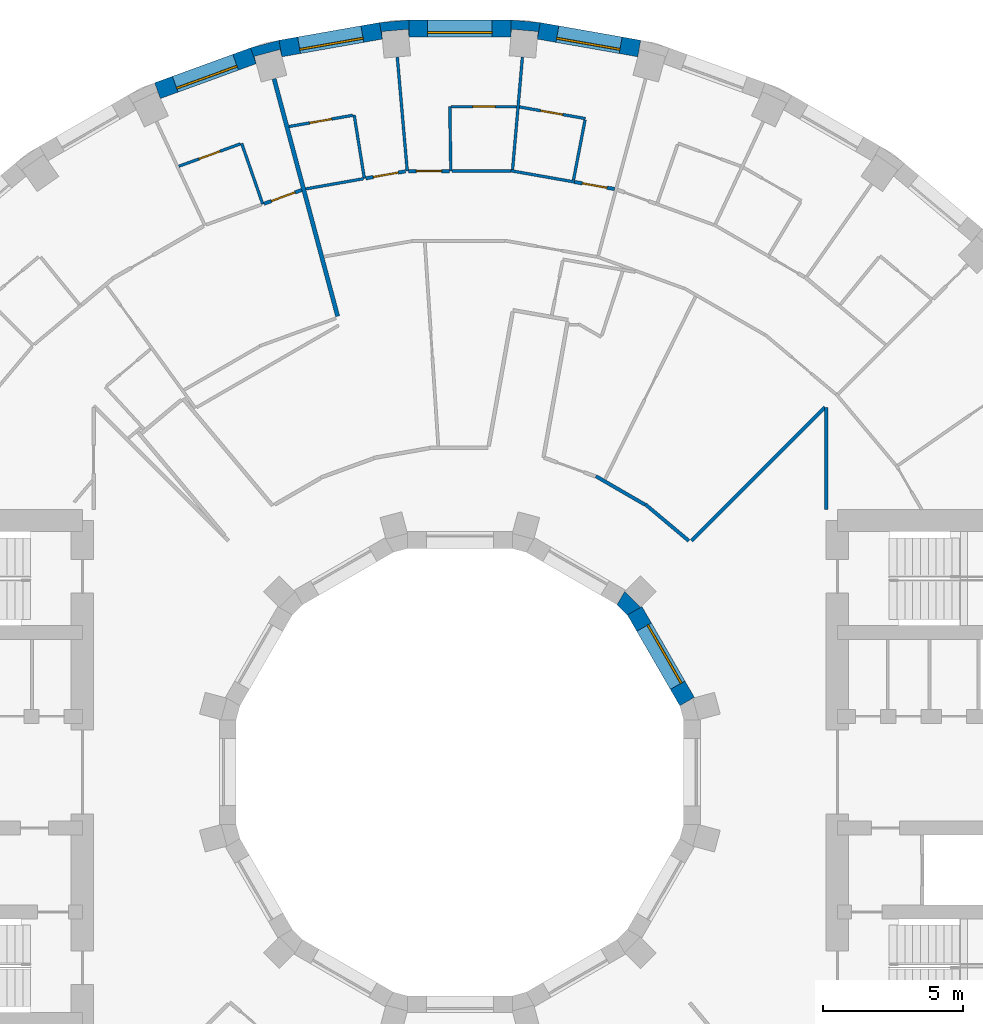
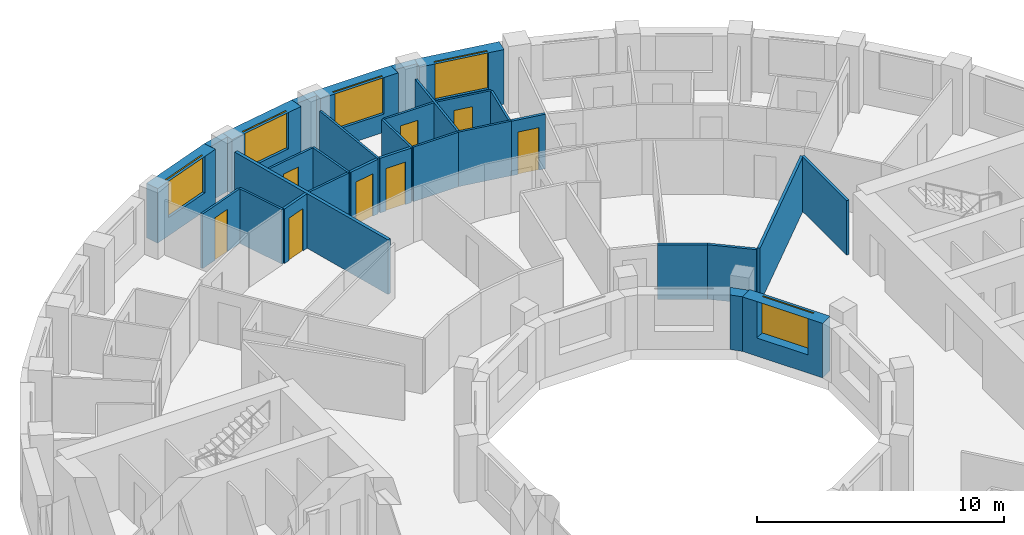
# One storey, part 13 of 16: 31 walls, 8 doors, 5 windows, 13 openings.
"""IFC4 building model written with IfcOpenShell, lengths in metres."""

from ifc_helpers import new_model, si_unit, direction, frame, frame_2d, origin, place, context, subcontext, project, spatial, polyline, rectangle, outline, extrude, material, layer, layer_set, type_object, element, fill, save


model = new_model("IFC4")

# Units and contexts
model_context = context("Model", 3, precision=1e-05, world=origin(), true_north=direction((0.0, 1.0)))
body_context = subcontext(model_context, "Body", "Model", "MODEL_VIEW")
ifc_project = project(units=[si_unit("LENGTHUNIT", "METRE"), si_unit("AREAUNIT", "SQUARE_METRE"), si_unit("VOLUMEUNIT", "CUBIC_METRE"), si_unit("PLANEANGLEUNIT", "RADIAN"), si_unit("MASSUNIT", "GRAM", prefix="KILO")], contexts=[model_context])

# Site, building, storey
site_placement = place(None, origin())
site = spatial("IfcSite", under=ifc_project, at=site_placement, CompositionType="ELEMENT")
building_placement = place(site_placement, origin())
building = spatial("IfcBuilding", under=site, at=building_placement, Name="Saqina Gate Tower", CompositionType="ELEMENT")
storey_placement = place(building_placement, frame((0.0, 0.0, 148.0)))
storey = spatial("IfcBuildingStorey", under=building, at=storey_placement, Name="L42", CompositionType="ELEMENT", Elevation=148.0)

# Walls
ifc_material_1 = material(Name="Brick masonry (buff)", Category="masonry")
wall_type_1 = type_object("IfcWallType", Name="BRICK PIER COPING BUFF", PredefinedType="SOLIDWALL", material=ifc_material_1)
wall_1_placement = place(storey_placement, origin())
element("IfcWall", 1, at=wall_1_placement, inside=storey, type_object=wall_type_1, Name="Pier cap L42 column 9", PredefinedType="SOLIDWALL", context=body_context, shape_type="SweptSolid", body=[
    extrude(outline(polyline([(2.87451171875, 26.805419921875), (1.823974609375, 26.897216796875), (1.823974609375, 26.29736328125), (1.847412109375, 26.565185546875), (2.793701171875, 26.482421875), (2.770263671875, 26.214599609375), (2.87451171875, 26.805419921875)])), origin(), (0.0, 0.0, 1.0), 2.699951171875),
])
wall_2_placement = place(storey_placement, origin())
element("IfcWall", 2, at=wall_2_placement, inside=storey, type_object=wall_type_1, Name="Pier cap L42 column 10", PredefinedType="SOLIDWALL", context=body_context, shape_type="SweptSolid", body=[
    extrude(outline(polyline([(-2.87451171875, 26.805419921875), (-2.770263671875, 26.214599609375), (-2.793701171875, 26.482421875), (-1.847412109375, 26.565185546875), (-1.823974609375, 26.29736328125), (-1.823974609375, 26.897216796875), (-2.87451171875, 26.805419921875)])), origin(), (0.0, 0.0, 1.0), 2.699951171875),
])
wall_3_placement = place(storey_placement, origin())
element("IfcWall", 3, at=wall_3_placement, inside=storey, type_object=wall_type_1, Name="Pier cap L42 column 11", PredefinedType="SOLIDWALL", context=body_context, shape_type="SweptSolid", body=[
    extrude(outline(polyline([(-6.466796875, 26.171875), (-7.485595703125, 25.89892578125), (-7.2802734375, 25.335205078125), (-7.349853515625, 25.5947265625), (-6.43212890625, 25.8408203125), (-6.36279296875, 25.5810546875), (-6.466796875, 26.171875)])), origin(), (0.0, 0.0, 1.0), 2.699951171875),
])

# Wall, opening, window
ifc_material_2 = material(Name="Brick masonry (buff)", Category="masonry")
ifc_layer_1 = layer(ifc_material_2, 0.60009765625)
ifc_layer_set_1 = layer_set([ifc_layer_1], Name="FW-BRICK-BUFF")
wall_type_2 = type_object("IfcWallType", Name="FW-BRICK-BUFF", PredefinedType="SOLIDWALL", material=ifc_layer_set_1)
wall_4_placement = place(storey_placement, frame((6.414794921875, 25.87646484375, 0.0), z_axis=(0.0, 0.0, 1.0), x_axis=(-0.984803764455, 0.173670796382, 0.0)))
wall_4 = element("IfcWall", 4, at=wall_4_placement, inside=storey, type_object=wall_type_2, Name="Facade wall L42 facet 8", PredefinedType="SOLIDWALL", context=body_context, shape_type="SweptSolid", body=[
    extrude(rectangle(XDim=3.64794921875, YDim=0.60009765625, at=frame_2d((1.823974609375, 0.0))), origin(), (0.0, 0.0, 1.0), 2.699951171875),
])
opening_1_placement = place(wall_4_placement, frame((0.673828125, 0.0, 0.89990234375)))
opening_1 = element("IfcOpeningElement", 5, at=opening_1_placement, cuts=wall_4, Name="Opening G12-W06", PredefinedType="OPENING", context=body_context, shape_type="SweptSolid", body=[
    extrude(rectangle(XDim=2.300048828125, YDim=1.800048828125, at=frame_2d((1.14990234375, 0.89990234375))), frame((0.0, 0.31201171875, 0.0), z_axis=(0.0, -1.0, 0.0), x_axis=(1.0, 0.0, 0.0)), (0.0, 0.0, 1.0), 0.6240234375),
])
ifc_material_3 = material(Name="Aluminium glazing", Category="aluminium")
window_type_1 = type_object("IfcWindowType", Name="WN-B", PartitioningType="SINGLE_PANEL", PredefinedType="WINDOW", material=ifc_material_3)
window_1_placement = place(opening_1_placement, origin())
window_1 = element("IfcWindow", 6, at=window_1_placement, inside=storey, type_object=window_type_1, Name="Window L42 facet 8", OverallHeight=1.800048828125, OverallWidth=2.300048828125, PartitioningType="SINGLE_PANEL", PredefinedType="WINDOW", context=body_context, shape_type="SweptSolid", body=[
    extrude(rectangle(XDim=2.300048828125, YDim=1.800048828125, at=frame_2d((1.14990234375, 0.89990234375))), frame((0.0, 0.179931640625, 0.0), z_axis=(0.0, -1.0, 0.0), x_axis=(1.0, 0.0, 0.0)), (0.0, 0.0, 1.0), 0.06005859375),
])
fill(opening_1, window_1)

wall_5_placement = place(storey_placement, frame((1.823974609375, 26.59716796875, 0.0), z_axis=(0.0, 0.0, 1.0), x_axis=(-1.0, 0.0, 0.0)))
wall_5 = element("IfcWall", 7, at=wall_5_placement, inside=storey, type_object=wall_type_2, Name="Facade wall L42 facet 9", PredefinedType="SOLIDWALL", context=body_context, shape_type="SweptSolid", body=[
    extrude(rectangle(XDim=3.64794921875, YDim=0.60009765625, at=frame_2d((1.823974609375, 0.0))), origin(), (0.0, 0.0, 1.0), 2.699951171875),
])
opening_2_placement = place(wall_5_placement, frame((0.673828125, 0.0, 0.89990234375)))
opening_2 = element("IfcOpeningElement", 8, at=opening_2_placement, cuts=wall_5, Name="Opening G12-W07", PredefinedType="OPENING", context=body_context, shape_type="SweptSolid", body=[
    extrude(rectangle(XDim=2.300048828125, YDim=1.800048828125, at=frame_2d((1.14990234375, 0.89990234375))), frame((0.0, 0.31201171875, 0.0), z_axis=(0.0, -1.0, 0.0), x_axis=(1.0, 0.0, 0.0)), (0.0, 0.0, 1.0), 0.6240234375),
])
window_2_placement = place(opening_2_placement, origin())
window_2 = element("IfcWindow", 9, at=window_2_placement, inside=storey, type_object=window_type_1, Name="Window L42 facet 9", OverallHeight=1.800048828125, OverallWidth=2.300048828125, PartitioningType="SINGLE_PANEL", PredefinedType="WINDOW", context=body_context, shape_type="SweptSolid", body=[
    extrude(rectangle(XDim=2.300048828125, YDim=1.800048828125, at=frame_2d((1.14990234375, 0.89990234375))), frame((0.0, 0.179931640625, 0.0), z_axis=(0.0, -1.0, 0.0), x_axis=(1.0, 0.0, 0.0)), (0.0, 0.0, 1.0), 0.06005859375),
])
fill(opening_2, window_2)

wall_6_placement = place(storey_placement, frame((-2.822265625, 26.510009765625, 0.0), z_axis=(0.0, 0.0, 1.0), x_axis=(-0.984803764455, -0.173670796382, 0.0)))
wall_6 = element("IfcWall", 10, at=wall_6_placement, inside=storey, type_object=wall_type_2, Name="Facade wall L42 facet 10", PredefinedType="SOLIDWALL", context=body_context, shape_type="SweptSolid", body=[
    extrude(rectangle(XDim=3.64794921875, YDim=0.60009765625, at=frame_2d((1.823974609375, 0.0))), origin(), (0.0, 0.0, 1.0), 2.699951171875),
])
opening_3_placement = place(wall_6_placement, frame((0.673828125, 0.0, 0.89990234375)))
opening_3 = element("IfcOpeningElement", 11, at=opening_3_placement, cuts=wall_6, Name="Opening G12-W08", PredefinedType="OPENING", context=body_context, shape_type="SweptSolid", body=[
    extrude(rectangle(XDim=2.300048828125, YDim=1.800048828125, at=frame_2d((1.14990234375, 0.89990234375))), frame((0.0, 0.31201171875, 0.0), z_axis=(0.0, -1.0, 0.0), x_axis=(1.0, 0.0, 0.0)), (0.0, 0.0, 1.0), 0.6240234375),
])
window_3_placement = place(opening_3_placement, origin())
window_3 = element("IfcWindow", 12, at=window_3_placement, inside=storey, type_object=window_type_1, Name="Window L42 facet 10", OverallHeight=1.800048828125, OverallWidth=2.300048828125, PartitioningType="SINGLE_PANEL", PredefinedType="WINDOW", context=body_context, shape_type="SweptSolid", body=[
    extrude(rectangle(XDim=2.300048828125, YDim=1.800048828125, at=frame_2d((1.14990234375, 0.89990234375))), frame((0.0, 0.179931640625, 0.0), z_axis=(0.0, -1.0, 0.0), x_axis=(1.0, 0.0, 0.0)), (0.0, 0.0, 1.0), 0.06005859375),
])
fill(opening_3, window_3)

wall_7_placement = place(storey_placement, frame((-7.3828125, 25.616943359375, 0.0), z_axis=(0.0, 0.0, 1.0), x_axis=(-0.939703505393, -0.341990236633, 0.0)))
wall_7 = element("IfcWall", 13, at=wall_7_placement, inside=storey, type_object=wall_type_2, Name="Facade wall L42 facet 11", PredefinedType="SOLIDWALL", context=body_context, shape_type="SweptSolid", body=[
    extrude(rectangle(XDim=3.64794921875, YDim=0.60009765625, at=frame_2d((1.823974609375, 0.0))), origin(), (0.0, 0.0, 1.0), 2.699951171875),
])
opening_4_placement = place(wall_7_placement, frame((0.673828125, 0.0, 0.89990234375)))
opening_4 = element("IfcOpeningElement", 14, at=opening_4_placement, cuts=wall_7, Name="Opening G12-W09", PredefinedType="OPENING", context=body_context, shape_type="SweptSolid", body=[
    extrude(rectangle(XDim=2.300048828125, YDim=1.800048828125, at=frame_2d((1.14990234375, 0.89990234375))), frame((0.0, 0.31201171875, 0.0), z_axis=(0.0, -1.0, 0.0), x_axis=(1.0, 0.0, 0.0)), (0.0, 0.0, 1.0), 0.6240234375),
])
window_4_placement = place(opening_4_placement, origin())
window_4 = element("IfcWindow", 15, at=window_4_placement, inside=storey, type_object=window_type_1, Name="Window L42 facet 11", OverallHeight=1.800048828125, OverallWidth=2.300048828125, PartitioningType="SINGLE_PANEL", PredefinedType="WINDOW", context=body_context, shape_type="SweptSolid", body=[
    extrude(rectangle(XDim=2.300048828125, YDim=1.800048828125, at=frame_2d((1.14990234375, 0.89990234375))), frame((0.0, 0.179931640625, 0.0), z_axis=(0.0, -1.0, 0.0), x_axis=(1.0, 0.0, 0.0)), (0.0, 0.0, 1.0), 0.06005859375),
])
fill(opening_4, window_4)

ifc_material_4 = material(Name="Glazed ceramic tile", Category="ceramic")
ifc_layer_2 = layer(ifc_material_4, 0.60009765625)
ifc_layer_set_2 = layer_set([ifc_layer_2], Name="IW-TILE")
wall_type_3 = type_object("IfcWallType", Name="IW-TILE", PredefinedType="SOLIDWALL", material=ifc_layer_set_2)
wall_8_placement = place(storey_placement, frame((8.124755859375, 2.52734375, 0.0), z_axis=(0.0, 0.0, 1.0), x_axis=(-0.499964958637, 0.86604563398, 0.0)))
wall_8 = element("IfcWall", 16, at=wall_8_placement, inside=storey, type_object=wall_type_3, Name="Well wall L42 facet 1", PredefinedType="SOLIDWALL", context=body_context, shape_type="SweptSolid", body=[
    extrude(rectangle(XDim=3.747314453125, YDim=0.60009765625, at=frame_2d((1.87353515625, 0.0))), origin(), (0.0, 0.0, 1.0), 2.699951171875),
])
opening_5_placement = place(wall_8_placement, frame((0.673583984375, 0.0, 0.89990234375)))
opening_5 = element("IfcOpeningElement", 17, at=opening_5_placement, cuts=wall_8, Name="Opening G12-W23", PredefinedType="OPENING", context=body_context, shape_type="SweptSolid", body=[
    extrude(rectangle(XDim=2.39990234375, YDim=1.800048828125, at=frame_2d((1.199951171875, 0.89990234375))), frame((0.0, 0.31201171875, 0.0), z_axis=(0.0, -1.0, 0.0), x_axis=(1.0, 0.0, 0.0)), (0.0, 0.0, 1.0), 0.6240234375),
])
ifc_material_5 = material(Name="Aluminium glazing", Category="aluminium")
window_type_2 = type_object("IfcWindowType", Name="WN-W", PartitioningType="SINGLE_PANEL", PredefinedType="WINDOW", material=ifc_material_5)
window_5_placement = place(opening_5_placement, origin())
window_5 = element("IfcWindow", 18, at=window_5_placement, inside=storey, type_object=window_type_2, Name="Well window L42 facet 1", OverallHeight=1.800048828125, OverallWidth=2.39990234375, PartitioningType="SINGLE_PANEL", PredefinedType="WINDOW", context=body_context, shape_type="SweptSolid", body=[
    extrude(rectangle(XDim=2.39990234375, YDim=1.800048828125, at=frame_2d((1.199951171875, 0.89990234375))), frame((0.0, -0.119873046875, 0.0), z_axis=(0.0, -1.0, 0.0), x_axis=(1.0, 0.0, 0.0)), (0.0, 0.0, 1.0), 0.06005859375),
])
fill(opening_5, window_5)

# Walls
ifc_material_6 = material(Name="Gypsum board on steel studs, 100 mm", Category="steel")
ifc_layer_3 = layer(ifc_material_6, 0.10009765625)
ifc_layer_set_3 = layer_set([ifc_layer_3], Name="PARTITION 100")
wall_type_4 = type_object("IfcWallType", Name="PARTITION 100", PredefinedType="PARTITIONING", material=ifc_layer_set_3)
wall_9_placement = place(storey_placement, frame((-0.35888671875, 23.797119140625, 0.0), z_axis=(0.0, 0.0, 1.0), x_axis=(0.015177107463, -0.999884821071, 0.0)))
element("IfcWall", 19, at=wall_9_placement, inside=storey, type_object=wall_type_4, Name="PARTITION PW3-01", PredefinedType="PARTITIONING", context=body_context, shape_type="SweptSolid", body=[
    extrude(rectangle(XDim=2.30029296875, YDim=0.10009765625, at=frame_2d((1.150146484375, 0.0))), origin(), (0.0, 0.0, 1.0), 2.699951171875),
])
wall_10_placement = place(storey_placement, frame((-2.237060546875, 25.5673828125, 0.0), z_axis=(0.0, 0.0, 1.0), x_axis=(0.087119511186, -0.996197867279, 0.0)))
element("IfcWall", 20, at=wall_10_placement, inside=storey, type_object=wall_type_4, Name="PARTITION PW3-03", PredefinedType="PARTITIONING", context=body_context, shape_type="SweptSolid", body=[
    extrude(rectangle(XDim=4.0859375, YDim=0.10009765625, at=frame_2d((2.04296875, 0.0))), origin(), (0.0, 0.0, 1.0), 2.699951171875),
])
for number, where, z_axis, x_axis, name in (
    (21, (-3.779052734375, 23.498046875, 0.0), (0.0, 0.0, 1.0), (0.15868179071, -0.987329777378, 0.0), "PARTITION PW3-04"),
    (22, (-7.802001953125, 22.485107421875, 0.0), (0.0, 0.0, 1.0), (0.327763034971, -0.944759965762, 0.0), "PARTITION PW3-05"),
):
    element("IfcWall", number, at=place(storey_placement, frame(where, z_axis=z_axis, x_axis=x_axis)), inside=storey, type_object=wall_type_4, Name=name, PredefinedType="PARTITIONING", context=body_context, shape_type="SweptSolid", body=[
        extrude(rectangle(XDim=2.300048828125, YDim=0.10009765625, at=frame_2d((1.14990234375, 0.0))), origin(), (0.0, 0.0, 1.0), 2.699951171875),
    ])
wall_11_placement = place(storey_placement, frame((1.8310546875, 21.505859375, 0.0), z_axis=(0.0, 0.0, 1.0), x_axis=(0.984783558818, -0.173785333909, 0.0)))
element("IfcWall", 23, at=wall_11_placement, inside=storey, type_object=wall_type_4, Name="PARTITION PW3-58", PredefinedType="PARTITIONING", context=body_context, shape_type="SweptSolid", body=[
    extrude(rectangle(XDim=2.305419921875, YDim=0.10009765625, at=frame_2d((1.15283203125, 0.0))), origin(), (0.0, 0.0, 1.0), 2.699951171875),
])

# Wall, opening, door
wall_12_placement = place(storey_placement, frame((2.13134765625, 23.788330078125, 0.0), z_axis=(0.0, 0.0, 1.0), x_axis=(0.984802055472, -0.173680486922, 0.0)))
wall_12 = element("IfcWall", 24, at=wall_12_placement, inside=storey, type_object=wall_type_4, Name="PARTITION PW3-59", PredefinedType="PARTITIONING", context=body_context, shape_type="SweptSolid", body=[
    extrude(rectangle(XDim=2.39111328125, YDim=0.10009765625, at=frame_2d((1.195556640625, 0.0))), origin(), (0.0, 0.0, 1.0), 2.699951171875),
])
opening_6_placement = place(wall_12_placement, frame((0.7705078125, 0.0, 0.0)))
opening_6 = element("IfcOpeningElement", 25, at=opening_6_placement, cuts=wall_12, Name="Opening G12-D15", PredefinedType="OPENING", context=body_context, shape_type="SweptSolid", body=[
    extrude(rectangle(XDim=0.800048828125, YDim=2.10009765625, at=frame_2d((0.39990234375, 1.050048828125))), frame((0.0, 0.06201171875, 0.0), z_axis=(0.0, -1.0, 0.0), x_axis=(1.0, 0.0, 0.0)), (0.0, 0.0, 1.0), 0.1240234375),
])
ifc_material_7 = material(Name="Timber door leaf, 800 mm", Category="wood")
door_type_1 = type_object("IfcDoorType", Name="DOOR 800 TIMBER", OperationType="SINGLE_SWING_LEFT", PredefinedType="DOOR", material=ifc_material_7)
door_1_placement = place(opening_6_placement, origin())
door_1 = element("IfcDoor", 26, at=door_1_placement, inside=storey, type_object=door_type_1, Name="DOOR G12-D15", OperationType="SINGLE_SWING_LEFT", OverallHeight=2.10009765625, OverallWidth=0.800048828125, PredefinedType="DOOR", context=body_context, shape_type="SweptSolid", body=[
    extrude(rectangle(XDim=0.800048828125, YDim=2.10009765625, at=frame_2d((0.39990234375, 1.050048828125))), frame((0.0, 0.02490234375, 0.0), z_axis=(0.0, -1.0, 0.0), x_axis=(1.0, 0.0, 0.0)), (0.0, 0.0, 1.0), 0.050048828125),
])
fill(opening_6, door_1)

# Wall
wall_13_placement = place(storey_placement, frame((-0.27392578125, 21.4970703125, 0.0), z_axis=(0.0, 0.0, 1.0), x_axis=(1.0, 0.0, 0.0)))
element("IfcWall", 27, at=wall_13_placement, inside=storey, type_object=wall_type_4, Name="PARTITION PW3-62", PredefinedType="PARTITIONING", context=body_context, shape_type="SweptSolid", body=[
    extrude(rectangle(XDim=2.10498046875, YDim=0.10009765625, at=frame_2d((1.052490234375, 0.0))), origin(), (0.0, 0.0, 1.0), 2.699951171875),
])

# Wall, opening, door
wall_14_placement = place(storey_placement, frame((-0.30908203125, 23.797119140625, 0.0), z_axis=(0.0, 0.0, 1.0), x_axis=(1.0, 0.0, 0.0)))
wall_14 = element("IfcWall", 28, at=wall_14_placement, inside=storey, type_object=wall_type_4, Name="PARTITION PW3-63", PredefinedType="PARTITIONING", context=body_context, shape_type="SweptSolid", body=[
    extrude(rectangle(XDim=2.341064453125, YDim=0.10009765625, at=frame_2d((1.17041015625, 0.0))), origin(), (0.0, 0.0, 1.0), 2.699951171875),
])
opening_7_placement = place(wall_14_placement, frame((0.7705078125, 0.0, 0.0)))
opening_7 = element("IfcOpeningElement", 29, at=opening_7_placement, cuts=wall_14, Name="Opening G12-D16", PredefinedType="OPENING", context=body_context, shape_type="SweptSolid", body=[
    extrude(rectangle(XDim=0.800048828125, YDim=2.10009765625, at=frame_2d((0.39990234375, 1.050048828125))), frame((0.0, 0.06201171875, 0.0), z_axis=(0.0, -1.0, 0.0), x_axis=(1.0, 0.0, 0.0)), (0.0, 0.0, 1.0), 0.1240234375),
])
door_2_placement = place(opening_7_placement, origin())
door_2 = element("IfcDoor", 30, at=door_2_placement, inside=storey, type_object=door_type_1, Name="DOOR G12-D16", OperationType="SINGLE_SWING_LEFT", OverallHeight=2.10009765625, OverallWidth=0.800048828125, PredefinedType="DOOR", context=body_context, shape_type="SweptSolid", body=[
    extrude(rectangle(XDim=0.800048828125, YDim=2.10009765625, at=frame_2d((0.39990234375, 1.050048828125))), frame((0.0, 0.02490234375, 0.0), z_axis=(0.0, -1.0, 0.0), x_axis=(1.0, 0.0, 0.0)), (0.0, 0.0, 1.0), 0.050048828125),
])
fill(opening_7, door_2)

# Wall
wall_15_placement = place(storey_placement, frame((-5.51123046875, 20.85693359375, 0.0), z_axis=(0.0, 0.0, 1.0), x_axis=(0.984775352835, 0.173831828066, 0.0)))
element("IfcWall", 31, at=wall_15_placement, inside=storey, type_object=wall_type_4, Name="PARTITION PW3-65", PredefinedType="PARTITIONING", context=body_context, shape_type="SweptSolid", body=[
    extrude(rectangle(XDim=2.096923828125, YDim=0.10009765625, at=frame_2d((1.04833984375, 0.0))), origin(), (0.0, 0.0, 1.0), 2.699951171875),
])

# Wall, opening, door
wall_16_placement = place(storey_placement, frame((-6.109130859375, 23.0869140625, 0.0), z_axis=(0.0, 0.0, 1.0), x_axis=(0.984797350308, 0.173707164006, 0.0)))
wall_16 = element("IfcWall", 32, at=wall_16_placement, inside=storey, type_object=wall_type_4, Name="PARTITION PW3-66", PredefinedType="PARTITIONING", context=body_context, shape_type="SweptSolid", body=[
    extrude(rectangle(XDim=2.316162109375, YDim=0.10009765625, at=frame_2d((1.158203125, 0.0))), origin(), (0.0, 0.0, 1.0), 2.699951171875),
])
opening_8_placement = place(wall_16_placement, frame((0.74560546875, 0.0, 0.0)))
opening_8 = element("IfcOpeningElement", 33, at=opening_8_placement, cuts=wall_16, Name="Opening G12-D20", PredefinedType="OPENING", context=body_context, shape_type="SweptSolid", body=[
    extrude(rectangle(XDim=0.800048828125, YDim=2.10009765625, at=frame_2d((0.39990234375, 1.050048828125))), frame((0.0, 0.06201171875, 0.0), z_axis=(0.0, -1.0, 0.0), x_axis=(1.0, 0.0, 0.0)), (0.0, 0.0, 1.0), 0.1240234375),
])
door_3_placement = place(opening_8_placement, origin())
door_3 = element("IfcDoor", 34, at=door_3_placement, inside=storey, type_object=door_type_1, Name="DOOR G12-D20", OperationType="SINGLE_SWING_LEFT", OverallHeight=2.10009765625, OverallWidth=0.800048828125, PredefinedType="DOOR", context=body_context, shape_type="SweptSolid", body=[
    extrude(rectangle(XDim=0.800048828125, YDim=2.10009765625, at=frame_2d((0.39990234375, 1.050048828125))), frame((0.0, 0.02490234375, 0.0), z_axis=(0.0, -1.0, 0.0), x_axis=(1.0, 0.0, 0.0)), (0.0, 0.0, 1.0), 0.050048828125),
])
fill(opening_8, door_3)

wall_17_placement = place(storey_placement, frame((-10.049072265625, 21.6669921875, 0.0), z_axis=(0.0, 0.0, 1.0), x_axis=(0.939662448837, 0.342103028699, 0.0)))
wall_17 = element("IfcWall", 35, at=wall_17_placement, inside=storey, type_object=wall_type_4, Name="PARTITION PW3-71", PredefinedType="PARTITIONING", context=body_context, shape_type="SweptSolid", body=[
    extrude(rectangle(XDim=2.341552734375, YDim=0.10009765625, at=frame_2d((1.1708984375, 0.0))), origin(), (0.0, 0.0, 1.0), 2.699951171875),
])
opening_9_placement = place(wall_17_placement, frame((0.7705078125, 0.0, 0.0)))
opening_9 = element("IfcOpeningElement", 36, at=opening_9_placement, cuts=wall_17, Name="Opening G12-D22", PredefinedType="OPENING", context=body_context, shape_type="SweptSolid", body=[
    extrude(rectangle(XDim=0.800048828125, YDim=2.10009765625, at=frame_2d((0.39990234375, 1.050048828125))), frame((0.0, 0.06201171875, 0.0), z_axis=(0.0, -1.0, 0.0), x_axis=(1.0, 0.0, 0.0)), (0.0, 0.0, 1.0), 0.1240234375),
])
door_4_placement = place(opening_9_placement, origin())
door_4 = element("IfcDoor", 37, at=door_4_placement, inside=storey, type_object=door_type_1, Name="DOOR G12-D22", OperationType="SINGLE_SWING_LEFT", OverallHeight=2.10009765625, OverallWidth=0.800048828125, PredefinedType="DOOR", context=body_context, shape_type="SweptSolid", body=[
    extrude(rectangle(XDim=0.800048828125, YDim=2.10009765625, at=frame_2d((0.39990234375, 1.050048828125))), frame((0.0, 0.02490234375, 0.0), z_axis=(0.0, -1.0, 0.0), x_axis=(1.0, 0.0, 0.0)), (0.0, 0.0, 1.0), 0.050048828125),
])
fill(opening_9, door_4)

# Walls
wall_18_placement = place(storey_placement, frame((4.063720703125, 21.17529296875, 0.0), z_axis=(0.0, 0.0, 1.0), x_axis=(0.188685986474, 0.982037473067, 0.0)))
element("IfcWall", 38, at=wall_18_placement, inside=storey, type_object=wall_type_4, Name="PARTITION PW3-116", PredefinedType="PARTITIONING", context=body_context, shape_type="SweptSolid", body=[
    extrude(rectangle(XDim=2.18798828125, YDim=0.10009765625, at=frame_2d((1.093994140625, 0.0))), origin(), (0.0, 0.0, 1.0), 2.699951171875),
])
wall_19_placement = place(storey_placement, frame((1.88525390625, 21.546875, 0.0), z_axis=(0.0, 0.0, 1.0), x_axis=(0.087109918438, 0.996198706137, 0.0)))
element("IfcWall", 39, at=wall_19_placement, inside=storey, type_object=wall_type_4, Name="PARTITION PW3-117", PredefinedType="PARTITIONING", context=body_context, shape_type="SweptSolid", body=[
    extrude(rectangle(XDim=4.035888671875, YDim=0.10009765625, at=frame_2d((2.01806640625, 0.0))), origin(), (0.0, 0.0, 1.0), 2.699951171875),
])
ifc_material_8 = material(Name="Gypsum board on steel studs, 125 mm, fire rated", Category="steel")
ifc_layer_4 = layer(ifc_material_8, 0.125)
ifc_layer_set_4 = layer_set([ifc_layer_4], Name="PARTITION EI 30 125")
wall_type_5 = type_object("IfcWallType", Name="PARTITION EI 30 125", PredefinedType="PARTITIONING", material=ifc_layer_set_4)
wall_20_placement = place(storey_placement, frame((6.63037109375, 9.578857421875, 0.0), z_axis=(0.0, 0.0, 1.0), x_axis=(0.766246910896, -0.642546240781, 0.0)))
element("IfcWall", 40, at=wall_20_placement, inside=storey, type_object=wall_type_5, Name="PARTITION PW1-13", PredefinedType="PARTITIONING", context=body_context, shape_type="SweptSolid", body=[
    extrude(rectangle(XDim=2.03076171875, YDim=0.125, at=frame_2d((1.015380859375, 0.0))), origin(), (0.0, 0.0, 1.0), 2.699951171875),
])
wall_21_placement = place(storey_placement, frame((4.865234375, 10.582763671875, 0.0), z_axis=(0.0, 0.0, 1.0), x_axis=(0.865305530051, -0.50124479016, 0.0)))
element("IfcWall", 41, at=wall_21_placement, inside=storey, type_object=wall_type_5, Name="PARTITION PW1-16", PredefinedType="PARTITIONING", context=body_context, shape_type="SweptSolid", body=[
    extrude(rectangle(XDim=2.030517578125, YDim=0.125, at=frame_2d((1.01513671875, 0.0))), origin(), (0.0, 0.0, 1.0), 2.699951171875),
])

# Wall, opening, door
wall_22_placement = place(storey_placement, frame((4.101318359375, 21.105224609375, 0.0), z_axis=(0.0, 0.0, 1.0), x_axis=(0.984862774054, -0.173335848233, 0.0)))
wall_22 = element("IfcWall", 42, at=wall_22_placement, inside=storey, type_object=wall_type_5, Name="PARTITION PW1-27", PredefinedType="PARTITIONING", context=body_context, shape_type="SweptSolid", body=[
    extrude(rectangle(XDim=1.456298828125, YDim=0.125, at=frame_2d((0.72802734375, 0.0))), origin(), (0.0, 0.0, 1.0), 2.699951171875),
])
opening_10_placement = place(wall_22_placement, frame((0.2783203125, 0.0, 0.0)))
opening_10 = element("IfcOpeningElement", 43, at=opening_10_placement, cuts=wall_22, Name="Opening G12-D12", PredefinedType="OPENING", context=body_context, shape_type="SweptSolid", body=[
    extrude(rectangle(XDim=0.89990234375, YDim=2.10009765625, at=frame_2d((0.449951171875, 1.050048828125))), frame((0.0, 0.074462890625, 0.0), z_axis=(0.0, -1.0, 0.0), x_axis=(1.0, 0.0, 0.0)), (0.0, 0.0, 1.0), 0.14892578125),
])
ifc_material_9 = material(Name="Fire door leaf EI 30, 900 mm")
door_type_2 = type_object("IfcDoorType", Name="DOOR 900 EI 30", OperationType="SINGLE_SWING_LEFT", PredefinedType="DOOR", material=ifc_material_9)
door_5_placement = place(opening_10_placement, frame((0.89990234375, 0.0, 0.0), z_axis=(0.0, 0.0, 1.0), x_axis=(-1.0, 0.0, 0.0)))
door_5 = element("IfcDoor", 44, at=door_5_placement, inside=storey, type_object=door_type_2, Name="DOOR G12-D12", OperationType="SINGLE_SWING_LEFT", OverallHeight=2.10009765625, OverallWidth=0.89990234375, PredefinedType="DOOR", context=body_context, shape_type="SweptSolid", body=[
    extrude(rectangle(XDim=0.89990234375, YDim=2.10009765625, at=frame_2d((0.449951171875, 1.050048828125))), frame((0.0, 0.02490234375, 0.0), z_axis=(0.0, -1.0, 0.0), x_axis=(1.0, 0.0, 0.0)), (0.0, 0.0, 1.0), 0.050048828125),
])
fill(opening_10, door_5)

wall_23_placement = place(storey_placement, frame((-1.8310546875, 21.4970703125, 0.0), z_axis=(0.0, 0.0, 1.0), x_axis=(1.0, 0.0, 0.0)))
wall_23 = element("IfcWall", 45, at=wall_23_placement, inside=storey, type_object=wall_type_5, Name="PARTITION PW1-30", PredefinedType="PARTITIONING", context=body_context, shape_type="SweptSolid", body=[
    extrude(rectangle(XDim=1.45703125, YDim=0.125, at=frame_2d((0.728515625, 0.0))), origin(), (0.0, 0.0, 1.0), 2.699951171875),
])
opening_11_placement = place(wall_23_placement, frame((0.278564453125, 0.0, 0.0)))
opening_11 = element("IfcOpeningElement", 46, at=opening_11_placement, cuts=wall_23, Name="Opening G12-D17", PredefinedType="OPENING", context=body_context, shape_type="SweptSolid", body=[
    extrude(rectangle(XDim=0.89990234375, YDim=2.10009765625, at=frame_2d((0.449951171875, 1.050048828125))), frame((0.0, 0.074462890625, 0.0), z_axis=(0.0, -1.0, 0.0), x_axis=(1.0, 0.0, 0.0)), (0.0, 0.0, 1.0), 0.14892578125),
])
door_6_placement = place(opening_11_placement, frame((0.89990234375, 0.0, 0.0), z_axis=(0.0, 0.0, 1.0), x_axis=(-1.0, 0.0, 0.0)))
door_6 = element("IfcDoor", 47, at=door_6_placement, inside=storey, type_object=door_type_2, Name="DOOR G12-D17", OperationType="SINGLE_SWING_RIGHT", OverallHeight=2.10009765625, OverallWidth=0.89990234375, PredefinedType="DOOR", context=body_context, shape_type="SweptSolid", body=[
    extrude(rectangle(XDim=0.89990234375, YDim=2.10009765625, at=frame_2d((0.449951171875, 1.050048828125))), frame((0.0, 0.02490234375, 0.0), z_axis=(0.0, -1.0, 0.0), x_axis=(1.0, 0.0, 0.0)), (0.0, 0.0, 1.0), 0.050048828125),
])
fill(opening_11, door_6)

wall_24_placement = place(storey_placement, frame((-3.36474609375, 21.235595703125, 0.0), z_axis=(0.0, 0.0, 1.0), x_axis=(0.984839675328, 0.173467039809, 0.0)))
wall_24 = element("IfcWall", 48, at=wall_24_placement, inside=storey, type_object=wall_type_5, Name="PARTITION PW1-33", PredefinedType="PARTITIONING", context=body_context, shape_type="SweptSolid", body=[
    extrude(rectangle(XDim=1.444091796875, YDim=0.125, at=frame_2d((0.72216796875, 0.0))), origin(), (0.0, 0.0, 1.0), 2.699951171875),
])
opening_12_placement = place(wall_24_placement, frame((0.2783203125, 0.0, 0.0)))
opening_12 = element("IfcOpeningElement", 49, at=opening_12_placement, cuts=wall_24, Name="Opening G12-D19", PredefinedType="OPENING", context=body_context, shape_type="SweptSolid", body=[
    extrude(rectangle(XDim=0.89990234375, YDim=2.10009765625, at=frame_2d((0.449951171875, 1.050048828125))), frame((0.0, 0.074462890625, 0.0), z_axis=(0.0, -1.0, 0.0), x_axis=(1.0, 0.0, 0.0)), (0.0, 0.0, 1.0), 0.14892578125),
])
door_7_placement = place(opening_12_placement, frame((0.89990234375, 0.0, 0.0), z_axis=(0.0, 0.0, 1.0), x_axis=(-1.0, 0.0, 0.0)))
door_7 = element("IfcDoor", 50, at=door_7_placement, inside=storey, type_object=door_type_2, Name="DOOR G12-D19", OperationType="SINGLE_SWING_LEFT", OverallHeight=2.10009765625, OverallWidth=0.89990234375, PredefinedType="DOOR", context=body_context, shape_type="SweptSolid", body=[
    extrude(rectangle(XDim=0.89990234375, YDim=2.10009765625, at=frame_2d((0.449951171875, 1.050048828125))), frame((0.0, 0.02490234375, 0.0), z_axis=(0.0, -1.0, 0.0), x_axis=(1.0, 0.0, 0.0)), (0.0, 0.0, 1.0), 0.050048828125),
])
fill(opening_12, door_7)

wall_25_placement = place(storey_placement, frame((-7.0009765625, 20.3291015625, 0.0), z_axis=(0.0, 0.0, 1.0), x_axis=(0.939788441711, 0.341756762663, 0.0)))
wall_25 = element("IfcWall", 51, at=wall_25_placement, inside=storey, type_object=wall_type_5, Name="PARTITION PW1-37", PredefinedType="PARTITIONING", context=body_context, shape_type="SweptSolid", body=[
    extrude(rectangle(XDim=1.430908203125, YDim=0.125, at=frame_2d((0.71533203125, 0.0))), origin(), (0.0, 0.0, 1.0), 2.699951171875),
])
opening_13_placement = place(wall_25_placement, frame((0.27783203125, 0.0, 0.0)))
opening_13 = element("IfcOpeningElement", 52, at=opening_13_placement, cuts=wall_25, Name="Opening G12-D21", PredefinedType="OPENING", context=body_context, shape_type="SweptSolid", body=[
    extrude(rectangle(XDim=0.89990234375, YDim=2.10009765625, at=frame_2d((0.449951171875, 1.050048828125))), frame((0.0, 0.074462890625, 0.0), z_axis=(0.0, -1.0, 0.0), x_axis=(1.0, 0.0, 0.0)), (0.0, 0.0, 1.0), 0.14892578125),
])
door_8_placement = place(opening_13_placement, frame((0.89990234375, 0.0, 0.0), z_axis=(0.0, 0.0, 1.0), x_axis=(-1.0, 0.0, 0.0)))
door_8 = element("IfcDoor", 53, at=door_8_placement, inside=storey, type_object=door_type_2, Name="DOOR G12-D21", OperationType="SINGLE_SWING_LEFT", OverallHeight=2.10009765625, OverallWidth=0.89990234375, PredefinedType="DOOR", context=body_context, shape_type="SweptSolid", body=[
    extrude(rectangle(XDim=0.89990234375, YDim=2.10009765625, at=frame_2d((0.449951171875, 1.050048828125))), frame((0.0, 0.02490234375, 0.0), z_axis=(0.0, -1.0, 0.0), x_axis=(1.0, 0.0, 0.0)), (0.0, 0.0, 1.0), 0.050048828125),
])
fill(opening_13, door_8)

# Walls
wall_26_placement = place(storey_placement, frame((8.278076171875, 8.278076171875, 0.0), z_axis=(0.0, 0.0, 1.0), x_axis=(0.707106781187, 0.707106781187, 0.0)))
element("IfcWall", 54, at=wall_26_placement, inside=storey, type_object=wall_type_5, Name="PARTITION PW1-49", PredefinedType="PARTITIONING", context=body_context, shape_type="SweptSolid", body=[
    extrude(rectangle(XDim=6.74951171875, YDim=0.125, at=frame_2d((3.374755859375, 0.0))), origin(), (0.0, 0.0, 1.0), 2.699951171875),
])
wall_27_placement = place(storey_placement, frame((13.10009765625, 9.39794921875, 0.0), z_axis=(0.0, 0.0, 1.0), x_axis=(0.0, 1.0, 0.0)))
element("IfcWall", 55, at=wall_27_placement, inside=storey, type_object=wall_type_5, Name="PARTITION PW1-60", PredefinedType="PARTITIONING", context=body_context, shape_type="SweptSolid", body=[
    extrude(rectangle(XDim=3.638671875, YDim=0.125, at=frame_2d((1.8193359375, 0.0))), origin(), (0.0, 0.0, 1.0), 2.699951171875),
])
ifc_material_10 = material(Name="Gypsum board on steel studs, 150 mm, fire rated", Category="steel")
ifc_layer_5 = layer(ifc_material_10, 0.14990234375)
ifc_layer_set_5 = layer_set([ifc_layer_5], Name="PARTITION EI 60 150")
wall_type_6 = type_object("IfcWallType", Name="PARTITION EI 60 150", PredefinedType="PARTITIONING", material=ifc_layer_set_5)
wall_28_placement = place(storey_placement, frame((-6.642578125, 24.79052734375, 0.0), z_axis=(0.0, 0.0, 1.0), x_axis=(0.258629569049, -0.965976576328, 0.0)))
element("IfcWall", 56, at=wall_28_placement, inside=storey, type_object=wall_type_6, Name="PARTITION PW2-01", PredefinedType="PARTITIONING", context=body_context, shape_type="SweptSolid", body=[
    extrude(rectangle(XDim=8.78369140625, YDim=0.14990234375, at=frame_2d((4.391845703125, 0.0))), origin(), (0.0, 0.0, 1.0), 2.699951171875),
])
ifc_material_11 = material(Name="Glazed ceramic tile", Category="ceramic")
wall_type_7 = type_object("IfcWallType", Name="TILE PIER COPING", PredefinedType="SOLIDWALL", material=ifc_material_11)
wall_29_placement = place(storey_placement, origin())
element("IfcWall", 57, at=wall_29_placement, inside=storey, type_object=wall_type_7, Name="Well pier cap L42 column 2", PredefinedType="SOLIDWALL", context=body_context, shape_type="SweptSolid", body=[
    extrude(outline(polyline([(5.891845703125, 6.45751953125), (5.622802734375, 5.991455078125), (5.991455078125, 5.622802734375), (6.45751953125, 5.891845703125), (5.891845703125, 6.45751953125)])), origin(), (0.0, 0.0, 1.0), 2.699951171875),
])

save(model, "model.ifc")
